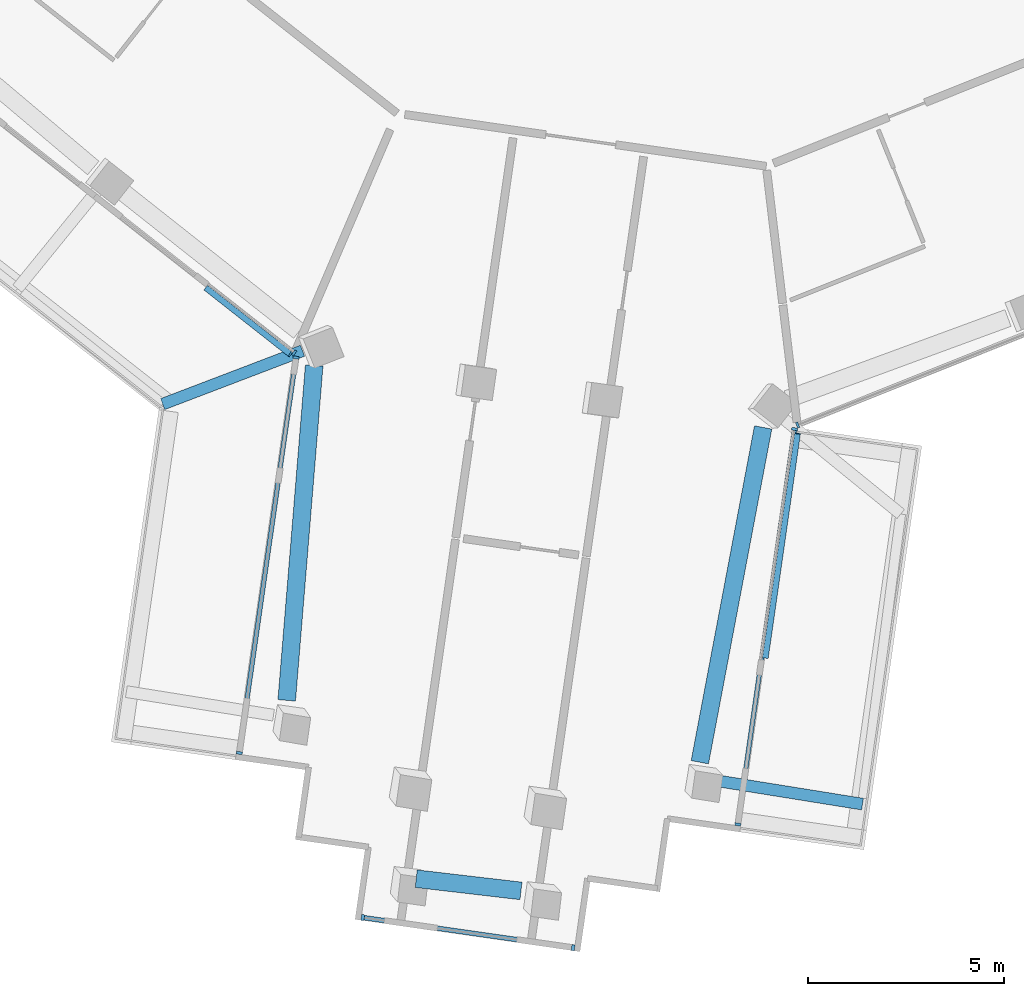
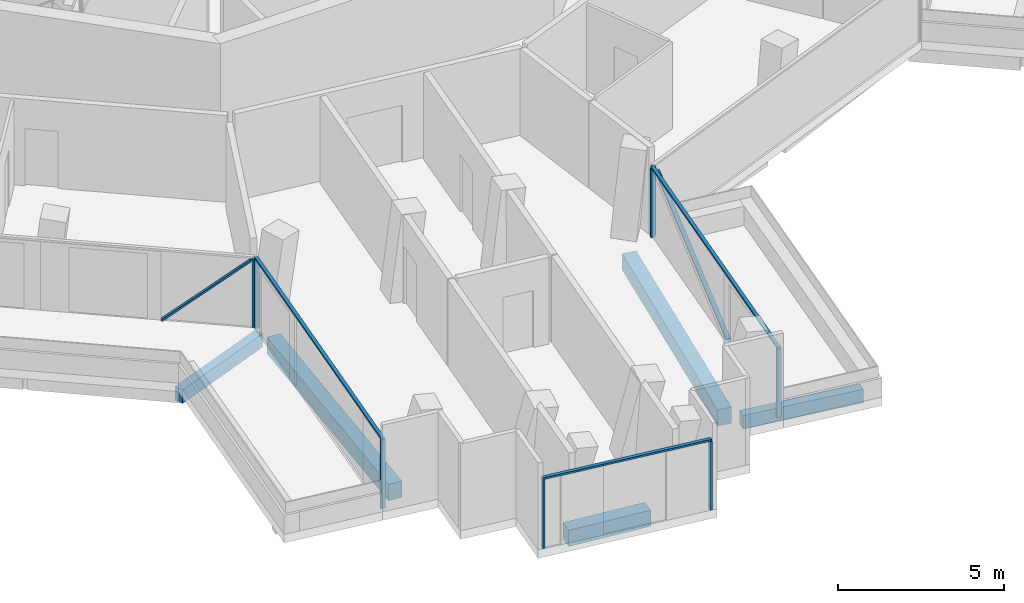
# One storey, part 2 of 23: 13 members, 5 beams, 5 elements without a shape of their own.
"""IFC4 building model written with IfcOpenShell, lengths in metres."""

from ifc_helpers import new_model, si_unit, direction, frame, origin, origin_2d, place, context, subcontext, project, spatial, rectangle, extrude, material, layer, layer_set, material_profile, profile_set, type_object, element, aggregate, save


model = new_model("IFC4")

# Units and contexts
model_context = context("Model", 3, precision=1e-05, world=origin(), true_north=direction((0.0, 1.0)))
body_context = subcontext(model_context, "Body", "Model", "MODEL_VIEW")
ifc_project = project(units=[si_unit("LENGTHUNIT", "METRE"), si_unit("AREAUNIT", "SQUARE_METRE"), si_unit("VOLUMEUNIT", "CUBIC_METRE"), si_unit("PLANEANGLEUNIT", "RADIAN"), si_unit("MASSUNIT", "GRAM", prefix="KILO")], contexts=[model_context])

# Site, building, storey
site_placement = place(None, origin())
site = spatial("IfcSite", under=ifc_project, at=site_placement, CompositionType="ELEMENT")
building_placement = place(site_placement, origin())
building = spatial("IfcBuilding", under=site, at=building_placement, Name="Verdalira Terraces Hotel", CompositionType="ELEMENT")
storey_placement = place(building_placement, frame((0.0, 0.0, 244.5)))
storey = spatial("IfcBuildingStorey", under=building, at=storey_placement, Name="L60", CompositionType="ELEMENT", Elevation=244.5)

# Beams
ifc_material_1 = material(Name="Concrete C40", Category="concrete")
ifc_material_profile_1 = material_profile(ifc_material_1, rectangle(XDim=0.300049, YDim=0.5, at=origin_2d()), Name="RC 300X500")
ifc_profile_set_1 = profile_set([ifc_material_profile_1], Name="Concrete C40")
beam_type_1 = type_object("IfcBeamType", Name="Balcony cantilever beam RC 300X500 C40", PredefinedType="BEAM", material=ifc_profile_set_1)
beam_1_placement = place(storey_placement, frame((-9.641846, -22.960938, -0.560059), z_axis=(-0.934312456, -0.356455094, 0.0), x_axis=(0.356455094, -0.934312456, 0.0)))
element("IfcBeam", 1, at=beam_1_placement, inside=storey, type_object=beam_type_1, Name="Balcony cantilever beam R13-4", PredefinedType="BEAM", context=body_context, shape_type="SweptSolid", body=[
    extrude(rectangle(XDim=0.300049, YDim=0.5, at=origin_2d()), origin(), (0.0, 0.0, 1.0), 3.819824),
])
beam_2_placement = place(storey_placement, frame((0.815674, -33.914062, -0.560059), z_axis=(0.987364329, -0.158466657, 0.0), x_axis=(0.158466657, 0.987364329, 0.0)))
element("IfcBeam", 2, at=beam_2_placement, inside=storey, type_object=beam_type_1, Name="Balcony cantilever beam R24-1", PredefinedType="BEAM", context=body_context, shape_type="SweptSolid", body=[
    extrude(rectangle(XDim=0.300049, YDim=0.5, at=origin_2d()), origin(), (0.0, 0.0, 1.0), 3.879395),
])

# Curtain wall, member
ifc_material_2 = material(Name="Clear glass", Category="glass")
ifc_layer_1 = layer(ifc_material_2, 0.14990234375)
ifc_layer_set_1 = layer_set([ifc_layer_1], Name="CW1 curtain wall")
curtain_wall_type_1 = type_object("IfcCurtainWallType", Name="CW1 curtain wall", PredefinedType="NOTDEFINED", material=ifc_layer_set_1)
curtain_wall_1_placement = place(storey_placement, origin())
curtain_wall_1 = element("IfcCurtainWall", 3, at=curtain_wall_1_placement, inside=storey, type_object=curtain_wall_type_1, Name="CW1 curtain wall L60 edge 13", PredefinedType="NOTDEFINED")
ifc_material_3 = material(Name="Terracotta frame", Category="masonry")
ifc_material_profile_2 = material_profile(ifc_material_3, rectangle(XDim=0.060059, YDim=0.149902, at=origin_2d()), Name="MU 60x150")
ifc_profile_set_2 = profile_set([ifc_material_profile_2], Name="Terracotta frame")
member_type_1 = type_object("IfcMemberType", Name="CW1 mullion 60x150", PredefinedType="MULLION", material=ifc_profile_set_2)
member_1_placement = place(storey_placement, frame((-9.854736, -23.012695, 0.0), z_axis=(0.0, 0.0, 1.0), x_axis=(0.786288432, -0.617859613, 0.0)))
member_1 = element("IfcMember", 4, at=member_1_placement, type_object=member_type_1, Name="CW1 mullion", PredefinedType="MULLION", context=body_context, shape_type="SweptSolid", body=[
    extrude(rectangle(XDim=0.060059, YDim=0.149902, at=origin_2d()), origin(), (0.0, 0.0, 1.0), 2.524902),
])

curtain_wall_2_placement = place(storey_placement, origin())
curtain_wall_2 = element("IfcCurtainWall", 5, at=curtain_wall_2_placement, inside=storey, type_object=curtain_wall_type_1, Name="CW1 curtain wall L60 edge 25", PredefinedType="NOTDEFINED")
member_2_placement = place(storey_placement, frame((2.990967, -24.854492, 0.0), z_axis=(0.0, 0.0, 1.0), x_axis=(0.928226337, 0.37201595, 0.0)))
member_2 = element("IfcMember", 6, at=member_2_placement, type_object=member_type_1, Name="CW1 mullion", PredefinedType="MULLION", context=body_context, shape_type="SweptSolid", body=[
    extrude(rectangle(XDim=0.060059, YDim=0.149902, at=origin_2d()), origin(), (0.0, 0.0, 1.0), 2.524902),
])
aggregate(curtain_wall_2, [member_2])

# Curtain wall, members
ifc_material_4 = material(Name="Clear glass", Category="glass")
ifc_layer_2 = layer(ifc_material_4, 0.14990234375)
ifc_layer_set_2 = layer_set([ifc_layer_2], Name="CW2 curtain wall")
curtain_wall_type_2 = type_object("IfcCurtainWallType", Name="CW2 curtain wall", PredefinedType="NOTDEFINED", material=ifc_layer_set_2)
curtain_wall_3_placement = place(storey_placement, origin())
curtain_wall_3 = element("IfcCurtainWall", 7, at=curtain_wall_3_placement, inside=storey, type_object=curtain_wall_type_2, Name="CW2 curtain wall L60 edge 14", PredefinedType="NOTDEFINED")
ifc_material_5 = material(Name="Terracotta frame", Category="masonry")
ifc_material_profile_3 = material_profile(ifc_material_5, rectangle(XDim=0.070068, YDim=0.149902, at=origin_2d()), Name="MU 70x150")
ifc_profile_set_3 = profile_set([ifc_material_profile_3], Name="Terracotta frame")
member_type_2 = type_object("IfcMemberType", Name="CW2 mullion 70x150", PredefinedType="MULLION", material=ifc_profile_set_3)
member_3_placement = place(storey_placement, frame((-9.808105, -23.135498, 0.0), z_axis=(0.0, 0.0, 1.0), x_axis=(-0.141937905, -0.989875563, 0.0)))
member_3 = element("IfcMember", 8, at=member_3_placement, type_object=member_type_2, Name="CW2 mullion", PredefinedType="MULLION", context=body_context, shape_type="SweptSolid", body=[
    extrude(rectangle(XDim=0.070068, YDim=0.149902, at=origin_2d()), origin(), (0.0, 0.0, 1.0), 2.524902),
])
member_4_placement = place(storey_placement, frame((-11.254639, -33.223145, 0.0), z_axis=(0.0, 0.0, 1.0), x_axis=(-0.141937905, -0.989875563, 0.0)))
member_4 = element("IfcMember", 9, at=member_4_placement, type_object=member_type_2, Name="CW2 mullion", PredefinedType="MULLION", context=body_context, shape_type="SweptSolid", body=[
    extrude(rectangle(XDim=0.070068, YDim=0.149902, at=origin_2d()), origin(), (0.0, 0.0, 1.0), 2.524902),
])

curtain_wall_4_placement = place(storey_placement, origin())
curtain_wall_4 = element("IfcCurtainWall", 10, at=curtain_wall_4_placement, inside=storey, type_object=curtain_wall_type_2, Name="CW2 curtain wall L60 edge 24", PredefinedType="NOTDEFINED")
member_5_placement = place(storey_placement, frame((1.465332, -35.047119, 0.0), z_axis=(0.0, 0.0, 1.0), x_axis=(0.141937905, 0.989875563, 0.0)))
member_5 = element("IfcMember", 11, at=member_5_placement, type_object=member_type_2, Name="CW2 mullion", PredefinedType="MULLION", context=body_context, shape_type="SweptSolid", body=[
    extrude(rectangle(XDim=0.070068, YDim=0.149902, at=origin_2d()), origin(), (0.0, 0.0, 1.0), 2.524902),
])
member_6_placement = place(storey_placement, frame((2.911865, -24.959229, 0.0), z_axis=(0.0, 0.0, 1.0), x_axis=(0.141937905, 0.989875563, 0.0)))
member_6 = element("IfcMember", 12, at=member_6_placement, type_object=member_type_2, Name="CW2 mullion", PredefinedType="MULLION", context=body_context, shape_type="SweptSolid", body=[
    extrude(rectangle(XDim=0.070068, YDim=0.149902, at=origin_2d()), origin(), (0.0, 0.0, 1.0), 2.524902),
])

# Member
ifc_material_6 = material(Name="Terracotta frame", Category="masonry")
ifc_material_profile_4 = material_profile(ifc_material_6, rectangle(XDim=0.11499, YDim=0.064941, at=origin_2d()), Name="TR 65x115")
ifc_profile_set_4 = profile_set([ifc_material_profile_4], Name="Terracotta frame")
member_type_3 = type_object("IfcMemberType", Name="CW2 transom 65x115", PredefinedType="USERDEFINED", material=ifc_profile_set_4)
member_7_placement = place(storey_placement, frame((-9.803223, -23.10083, 2.557617), z_axis=(-0.141927661, -0.989877032, 0.0), x_axis=(0.989877032, -0.141927661, 0.0)))
member_7 = element("IfcMember", 13, at=member_7_placement, type_object=member_type_3, Name="CW2 transom", ObjectType="TRANSOM", PredefinedType="USERDEFINED", context=body_context, shape_type="SweptSolid", body=[
    extrude(rectangle(XDim=0.11499, YDim=0.064941, at=origin_2d()), origin(), (0.0, 0.0, 1.0), 10.260742),
])

aggregate(curtain_wall_3, [member_3, member_4, member_7])

member_8_placement = place(storey_placement, frame((1.460449, -35.081543, 2.557617), z_axis=(0.141927661, 0.989877032, 0.0), x_axis=(-0.989877032, 0.141927661, 0.0)))
member_8 = element("IfcMember", 14, at=member_8_placement, type_object=member_type_3, Name="CW2 transom", ObjectType="TRANSOM", PredefinedType="USERDEFINED", context=body_context, shape_type="SweptSolid", body=[
    extrude(rectangle(XDim=0.11499, YDim=0.064941, at=origin_2d()), origin(), (0.0, 0.0, 1.0), 10.260742),
])

# Curtain wall, members
ifc_material_7 = material(Name="Clear glass", Category="glass")
ifc_layer_3 = layer(ifc_material_7, 0.14990234375)
ifc_layer_set_3 = layer_set([ifc_layer_3], Name="CW3 curtain wall")
curtain_wall_type_3 = type_object("IfcCurtainWallType", Name="CW3 curtain wall", PredefinedType="NOTDEFINED", material=ifc_layer_set_3)
curtain_wall_5_placement = place(storey_placement, origin())
curtain_wall_5 = element("IfcCurtainWall", 15, at=curtain_wall_5_placement, inside=storey, type_object=curtain_wall_type_3, Name="CW3 curtain wall L60 edge 19", PredefinedType="NOTDEFINED")
ifc_material_8 = material(Name="Terracotta frame", Category="masonry")
ifc_material_profile_5 = material_profile(ifc_material_8, rectangle(XDim=0.080078, YDim=0.149902, at=origin_2d()), Name="MU 80x150")
ifc_profile_set_5 = profile_set([ifc_material_profile_5], Name="Terracotta frame")
member_type_4 = type_object("IfcMemberType", Name="CW3 mullion 80x150", PredefinedType="MULLION", material=ifc_profile_set_5)
member_9_placement = place(storey_placement, frame((-8.10376, -37.422852, 0.0), z_axis=(0.0, 0.0, 1.0), x_axis=(0.989875563, -0.141937905, 0.0)))
member_9 = element("IfcMember", 16, at=member_9_placement, type_object=member_type_4, Name="CW3 mullion", PredefinedType="MULLION", context=body_context, shape_type="SweptSolid", body=[
    extrude(rectangle(XDim=0.080078, YDim=0.149902, at=origin_2d()), origin(), (0.0, 0.0, 1.0), 2.524902),
])
member_10_placement = place(storey_placement, frame((-2.738525, -38.192139, 0.0), z_axis=(0.0, 0.0, 1.0), x_axis=(0.989875563, -0.141937905, 0.0)))
member_10 = element("IfcMember", 17, at=member_10_placement, type_object=member_type_4, Name="CW3 mullion", PredefinedType="MULLION", context=body_context, shape_type="SweptSolid", body=[
    extrude(rectangle(XDim=0.080078, YDim=0.149902, at=origin_2d()), origin(), (0.0, 0.0, 1.0), 2.524902),
])
ifc_material_9 = material(Name="Terracotta frame", Category="masonry")
ifc_material_profile_6 = material_profile(ifc_material_9, rectangle(XDim=0.120117, YDim=0.064941, at=origin_2d()), Name="TR 65x120")
ifc_profile_set_6 = profile_set([ifc_material_profile_6], Name="Terracotta frame")
member_type_5 = type_object("IfcMemberType", Name="CW3 transom 65x120", PredefinedType="USERDEFINED", material=ifc_profile_set_6)
member_11_placement = place(storey_placement, frame((-8.143311, -37.417236, 2.557617), z_axis=(0.989879237, -0.141912283, 0.0), x_axis=(0.141912283, 0.989879237, 0.0)))
member_11 = element("IfcMember", 18, at=member_11_placement, type_object=member_type_5, Name="CW3 transom", ObjectType="TRANSOM", PredefinedType="USERDEFINED", context=body_context, shape_type="SweptSolid", body=[
    extrude(rectangle(XDim=0.120117, YDim=0.064941, at=origin_2d()), origin(), (0.0, 0.0, 1.0), 5.5),
])
aggregate(curtain_wall_5, [member_9, member_10, member_11])

# Member
ifc_material_10 = material(Name="Terracotta frame", Category="masonry")
ifc_material_profile_7 = material_profile(ifc_material_10, rectangle(XDim=0.149902, YDim=0.060059, at=origin_2d()), Name="GB 60x150")
ifc_profile_set_7 = profile_set([ifc_material_profile_7], Name="Terracotta frame")
member_type_6 = type_object("IfcMemberType", Name="Diagonal glazing bar 60x150", PredefinedType="USERDEFINED", material=ifc_profile_set_7)
member_12_placement = place(storey_placement, frame((-12.097656, -21.363281, 0.023438), z_axis=(0.581895956, -0.457260759, 0.672539735), x_axis=(0.617869001, 0.786281055, 0.0)))
member_12 = element("IfcMember", 19, at=member_12_placement, type_object=member_type_6, Name="Diagonal glazing bar", ObjectType="GLAZING BAR", PredefinedType="USERDEFINED", context=body_context, shape_type="SweptSolid", body=[
    extrude(rectangle(XDim=0.149902, YDim=0.060059, at=origin_2d()), origin(), (0.0, 0.0, 1.0), 3.68457),
])

aggregate(curtain_wall_1, [member_1, member_12])

member_13_placement = place(storey_placement, frame((2.16748, -30.792236, 0.02832), z_axis=(0.130519769, 0.910296701, 0.392841578), x_axis=(-0.989876687, 0.141930072, 0.0)))
member_13 = element("IfcMember", 20, at=member_13_placement, type_object=member_type_6, Name="Diagonal glazing bar", ObjectType="GLAZING BAR", PredefinedType="USERDEFINED", context=body_context, shape_type="SweptSolid", body=[
    extrude(rectangle(XDim=0.149902, YDim=0.060059, at=origin_2d()), origin(), (0.0, 0.0, 1.0), 6.283203),
])

aggregate(curtain_wall_4, [member_5, member_6, member_8, member_13])

# Beams
ifc_material_11 = material(Name="Concrete C40", Category="concrete")
ifc_material_profile_8 = material_profile(ifc_material_11, rectangle(XDim=0.449951, YDim=0.600098, at=origin_2d()), Name="RC 450X600")
ifc_profile_set_8 = profile_set([ifc_material_profile_8], Name="Concrete C40")
beam_type_2 = type_object("IfcBeamType", Name="Spandrel beam RC 450X600 C40", PredefinedType="SPANDREL", material=ifc_profile_set_8)
beam_3_placement = place(storey_placement, frame((-9.344482, -23.33667, -0.610107), z_axis=(-0.081791555, -0.996649458, 0.0), x_axis=(0.996649458, -0.081791555, 0.0)))
element("IfcBeam", 21, at=beam_3_placement, inside=storey, type_object=beam_type_2, Name="Spandrel beam B08", PredefinedType="SPANDREL", context=body_context, shape_type="SweptSolid", body=[
    extrude(rectangle(XDim=0.449951, YDim=0.600098, at=origin_2d()), origin(), (0.0, 0.0, 1.0), 8.572754),
])
beam_4_placement = place(storey_placement, frame((-6.741455, -36.431641, -0.610107), z_axis=(0.993260355, -0.115904559, 0.0), x_axis=(0.115904559, 0.993260355, 0.0)))
element("IfcBeam", 22, at=beam_4_placement, inside=storey, type_object=beam_type_2, Name="Spandrel beam B09", PredefinedType="SPANDREL", context=body_context, shape_type="SweptSolid", body=[
    extrude(rectangle(XDim=0.449951, YDim=0.600098, at=origin_2d()), origin(), (0.0, 0.0, 1.0), 2.691895),
])
beam_5_placement = place(storey_placement, frame((0.495361, -33.459961, -0.610107), z_axis=(0.185817661, 0.982584244, 0.0), x_axis=(-0.982584244, 0.185817661, 0.0)))
element("IfcBeam", 23, at=beam_5_placement, inside=storey, type_object=beam_type_2, Name="Spandrel beam B10", PredefinedType="SPANDREL", context=body_context, shape_type="SweptSolid", body=[
    extrude(rectangle(XDim=0.449951, YDim=0.600098, at=origin_2d()), origin(), (0.0, 0.0, 1.0), 8.693848),
])

save(model, "model.ifc")
